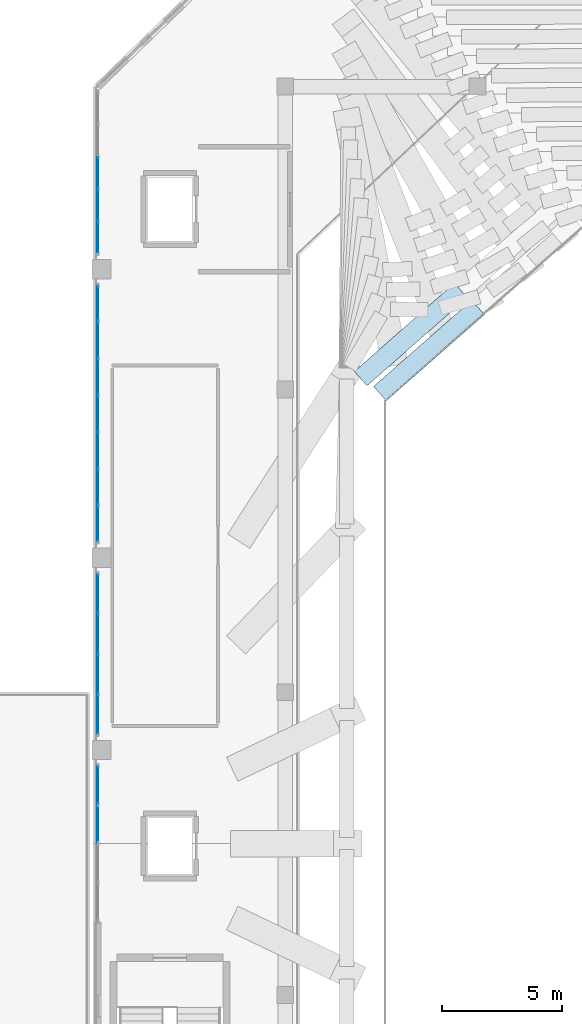
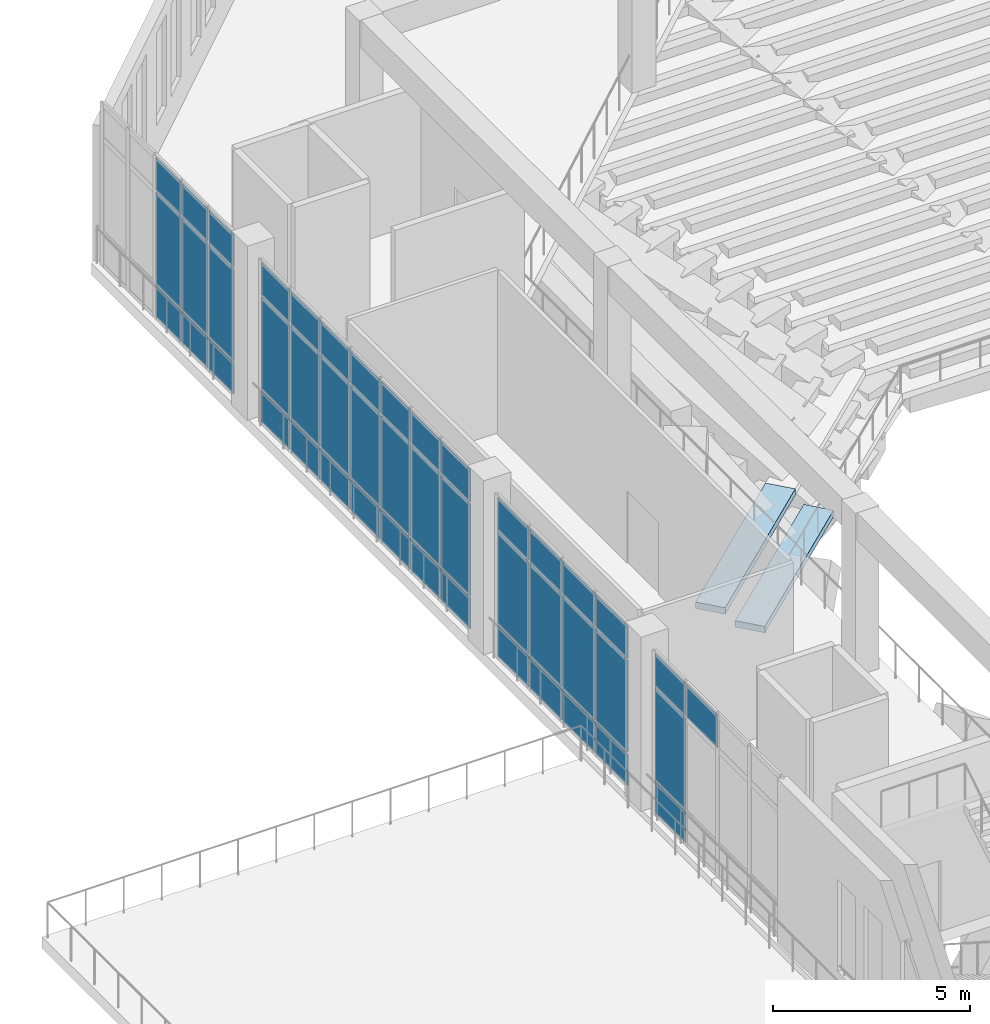
# One storey, part 36 of 55: 46 plates, 2 slabs, 4 elements without a shape of their own.
"""IFC4 building model written with IfcOpenShell, lengths in metres."""

import ifcopenshell
import ifcopenshell.guid

model = None  # the IFC model being written
_history = None  # IfcOwnerHistory: only IFC2X3 demands one
_inside = {}  # id of a spatial element -> (the spatial element, [elements in it])
_under = {}  # id of a project, library or spatial element -> (it, [spatial elements below it])
_declared = {}  # id of a project -> (the project, [libraries it declares])
_typed = {}  # id of a type object -> (the type object, [elements of that type])
_made_of = {}  # id of a material, layer set ... -> (it, [elements and type objects made of it])


def new_model(schema):
    """Start an empty IFC model of exactly this schema.

    Asked for "IFC4X3", IfcOpenShell would pick the latest addendum, in which some entities
    have other attributes; the version numbers below select the first issue.
    IFC2X3 requires an IfcOwnerHistory on every rooted entity: one is made here for all.
    """
    global model, _history
    if schema == "IFC4X3":
        model = ifcopenshell.file(schema_version=(4, 3, 0, 0))
    else:
        model = ifcopenshell.file(schema=schema)
    _inside.clear()
    _under.clear()
    _declared.clear()
    _typed.clear()
    _made_of.clear()
    _history = None
    if model.schema == "IFC2X3":
        org = make("IfcOrganization", Name="unknown")
        user = make(
            "IfcPersonAndOrganization",
            ThePerson=make("IfcPerson", FamilyName="unknown"),
            TheOrganization=org,
        )
        app = make(
            "IfcApplication",
            ApplicationDeveloper=org,
            Version="unknown",
            ApplicationFullName="unknown",
            ApplicationIdentifier="unknown",
        )
        _history = make(
            "IfcOwnerHistory",
            OwningUser=user,
            OwningApplication=app,
            ChangeAction="ADDED",
            CreationDate=0,
        )
    return model


def make(cls, **values):
    """One entity of the class cls with the attributes given. An attribute that is None is left unset."""
    return model.create_entity(
        cls, **{name: value for name, value in values.items() if value is not None}
    )


def rooted(cls, **values):
    """An entity with a GlobalId (a new one), such as an element, a storey or a relation."""
    return make(cls, GlobalId=ifcopenshell.guid.new(), OwnerHistory=_history, **values)


def si_unit(unit_type, name, prefix=None):
    """IfcSIUnit, for example si_unit("LENGTHUNIT", "METRE", prefix="MILLI")."""
    return make("IfcSIUnit", UnitType=unit_type, Prefix=prefix, Name=name)


def derived_unit(unit_type, elements):
    """IfcDerivedUnit: a product of units, each with its exponent."""
    return make(
        "IfcDerivedUnit",
        Elements=[
            make("IfcDerivedUnitElement", Unit=unit, Exponent=power)
            for unit, power in elements
        ],
        UnitType=unit_type,
    )


def assignment(units):
    """IfcUnitAssignment: the units of a project."""
    return None if units is None else make("IfcUnitAssignment", Units=units)


def point(xyz):
    """IfcCartesianPoint."""
    return None if xyz is None else make("IfcCartesianPoint", Coordinates=xyz)


def direction(xyz):
    """IfcDirection."""
    return None if xyz is None else make("IfcDirection", DirectionRatios=xyz)


def frame(location, z_axis=None, x_axis=None):
    """IfcAxis2Placement3D, a coordinate frame: its origin and axes. An axis left out is left unset."""
    return make(
        "IfcAxis2Placement3D",
        Location=point(location),
        Axis=direction(z_axis),
        RefDirection=direction(x_axis),
    )


def frame_2d(location, x_axis=None):
    """IfcAxis2Placement2D, a coordinate frame in the plane: its origin and x axis."""
    return make(
        "IfcAxis2Placement2D", Location=point(location), RefDirection=direction(x_axis)
    )


def origin():
    """The frame at (0, 0, 0) with its axes left unset."""
    return frame((0.0, 0.0, 0.0))


def origin_2d():
    """The frame at (0, 0) in the plane with its x axis left unset."""
    return frame_2d((0.0, 0.0))


def place(relative_to, where):
    """IfcLocalPlacement: puts the frame where relative to a parent placement (None: the world)."""
    return make(
        "IfcLocalPlacement", PlacementRelTo=relative_to, RelativePlacement=where
    )


def context(
    kind, dimensions, precision=None, world=None, true_north=None, identifier=None
):
    """IfcGeometricRepresentationContext, for example the 3D "Model" context."""
    return make(
        "IfcGeometricRepresentationContext",
        ContextIdentifier=identifier,
        ContextType=kind,
        CoordinateSpaceDimension=dimensions,
        Precision=precision,
        WorldCoordinateSystem=world,
        TrueNorth=true_north,
    )


def subcontext(parent, identifier, kind, view, scale=None):
    """IfcGeometricRepresentationSubContext, for example "Body" below "Model"."""
    return make(
        "IfcGeometricRepresentationSubContext",
        ContextIdentifier=identifier,
        ContextType=kind,
        ParentContext=parent,
        TargetScale=scale,
        TargetView=view,
    )


def project(units=None, contexts=None):
    """IfcProject with its units and contexts."""
    return rooted(
        "IfcProject",
        Name="project",
        RepresentationContexts=contexts,
        UnitsInContext=assignment(units),
    )


def spatial(cls, under=None, at=None, **own):
    """A site, building, storey or space (cls), placed at a placement, below another one or the project."""
    s = rooted(cls, ObjectPlacement=at, **own)
    if under is not None:
        _under.setdefault(under.id(), (under, []))[1].append(s)
    return s


def polyline(points):
    """IfcPolyline through the points."""
    return make("IfcPolyline", Points=[point(p) for p in points])


def profile(cls, at=None, kind="AREA", **sizes):
    """A parametric profile (cls). Its sizes go by their IFC names, for example OverallWidth=200.0."""
    return make(cls, ProfileType=kind, Position=at, **sizes)


def rectangle(**sizes):
    """IfcRectangleProfileDef."""
    return profile("IfcRectangleProfileDef", **sizes)


def outline(outer, holes=None, kind="AREA"):
    """IfcArbitraryClosedProfileDef: a profile drawn as a closed curve; with holes, ...WithVoids."""
    if holes is None:
        return make("IfcArbitraryClosedProfileDef", ProfileType=kind, OuterCurve=outer)
    return make(
        "IfcArbitraryProfileDefWithVoids",
        ProfileType=kind,
        OuterCurve=outer,
        InnerCurves=holes,
    )


def extrude(swept, where, along, depth):
    """IfcExtrudedAreaSolid: the profile swept, set in the frame where, extruded along a direction by depth."""
    return make(
        "IfcExtrudedAreaSolid",
        SweptArea=swept,
        Position=where,
        ExtrudedDirection=direction(along),
        Depth=depth,
    )


def shape(context_of_items, identifier, shape_type, items):
    """IfcShapeRepresentation: the items that make up one representation, for example the "Body"."""
    return make(
        "IfcShapeRepresentation",
        ContextOfItems=context_of_items,
        RepresentationIdentifier=identifier,
        RepresentationType=shape_type,
        Items=items,
    )


def material(Name=None, Category=None):
    """IfcMaterial."""
    return make("IfcMaterial", Name=Name, Category=Category)


def layer(
    of_material, thickness, ventilated=None, Name=None, Category=None, Priority=None
):
    """IfcMaterialLayer: one layer of a wall or slab, of a material (None: an air gap)."""
    return make(
        "IfcMaterialLayer",
        Material=of_material,
        LayerThickness=thickness,
        IsVentilated=ventilated,
        Name=Name,
        Category=Category,
        Priority=Priority,
    )


def layer_set(layers, Name=None):
    """IfcMaterialLayerSet."""
    return make("IfcMaterialLayerSet", MaterialLayers=layers, LayerSetName=Name)


def made_of(thing, what):
    """Note that an element or type object is made of a material, layer set ...; save() writes the relation."""
    if what is not None:
        _made_of.setdefault(what.id(), (what, []))[1].append(thing)
    return thing


def type_object(cls, material=None, **own):
    """A type object (cls), such as IfcWallType, which elements share."""
    return made_of(rooted(cls, **own), material)


def element(
    cls,
    number,
    at=None,
    inside=None,
    cuts=None,
    type_object=None,
    material=None,
    context=None,
    identifier="Body",
    shape_type=None,
    held_by="IfcProductDefinitionShape",
    body=None,
    shapes=None,
    **own,
):
    """One element of the class cls, such as IfcWall. Its Tag is "e" and its number.

    at: its placement. inside: the storey or other place that contains it. cuts: it is an
    opening in that element (IfcRelVoidsElement). A single representation is given by context,
    identifier, shape_type and body (its items); several are given by shapes. held_by: the class
    of the entity that holds the representations. save() writes the other relations.
    """
    e = rooted(cls, Tag="e%d" % number, ObjectPlacement=at, **own)
    if body is not None:
        shapes = [shape(context, identifier, shape_type, body)]
    if shapes is not None:
        e.Representation = make(held_by, Representations=shapes)
    if inside is not None:
        _inside.setdefault(inside.id(), (inside, []))[1].append(e)
    if cuts is not None:
        rooted(
            "IfcRelVoidsElement", RelatingBuildingElement=cuts, RelatedOpeningElement=e
        )
    if type_object is not None:
        _typed.setdefault(type_object.id(), (type_object, []))[1].append(e)
    return made_of(e, material)


def aggregate(whole, parts):
    """IfcRelAggregates: a whole, such as a stair, and the parts it consists of."""
    return rooted("IfcRelAggregates", RelatingObject=whole, RelatedObjects=parts)


def save(model, path):
    """Write the relations noted so far, then the file.

    IfcRelAggregates (storeys below a building ...), IfcRelContainedInSpatialStructure (elements
    in a storey), IfcRelDefinesByType, IfcRelAssociatesMaterial and IfcRelDeclares: one each for
    every whole, place, type object, material and project.
    """
    for whole, parts in _under.values():
        aggregate(whole, parts)
    for where, things in _inside.values():
        rooted(
            "IfcRelContainedInSpatialStructure",
            RelatedElements=things,
            RelatingStructure=where,
        )
    for kind, things in _typed.values():
        rooted("IfcRelDefinesByType", RelatedObjects=things, RelatingType=kind)
    for what, things in _made_of.values():
        rooted("IfcRelAssociatesMaterial", RelatedObjects=things, RelatingMaterial=what)
    for by, libraries in _declared.values():
        rooted("IfcRelDeclares", RelatingContext=by, RelatedDefinitions=libraries)
    model.write(path)


model = new_model("IFC4")

# Units and contexts
model_context = context("Model", 3, precision=1e-05, world=origin(), true_north=direction((0.0, 1.0)))
body_context = subcontext(model_context, "Body", "Model", "MODEL_VIEW")
ifc_project = project(units=[si_unit("LENGTHUNIT", "METRE"), si_unit("AREAUNIT", "SQUARE_METRE"), si_unit("VOLUMEUNIT", "CUBIC_METRE"), si_unit("PLANEANGLEUNIT", "RADIAN"), si_unit("MASSUNIT", "GRAM", prefix="KILO"), derived_unit("THERMALTRANSMITTANCEUNIT", [(si_unit("MASSUNIT", "GRAM", prefix="KILO"), 1), (si_unit("TIMEUNIT", "SECOND"), -3), (si_unit("THERMODYNAMICTEMPERATUREUNIT", "KELVIN"), -1)])], contexts=[model_context])

# Site, building, storey
site_placement = place(None, origin())
site = spatial("IfcSite", under=ifc_project, at=site_placement, CompositionType="ELEMENT")
building_placement = place(site_placement, origin())
building = spatial("IfcBuilding", under=site, at=building_placement, Name="Valcora Ridge Arena", CompositionType="ELEMENT")
storey_placement = place(building_placement, frame((0.0, 0.0, 21.0)))
storey = spatial("IfcBuildingStorey", under=building, at=storey_placement, Name="L04", CompositionType="ELEMENT", Elevation=21.0)

# Curtain wall, plates
ifc_material_1 = material(Name="Anodised dark bronze architectural aluminium 6063-T6", Category="aluminium")
ifc_layer_1 = layer(ifc_material_1, 0.179931640625, Name="Anodised dark bronze architectural aluminium 6063-T6")
ifc_layer_set_1 = layer_set([ifc_layer_1], Name="Anodised dark bronze architectural aluminium 6063-T6")
curtain_wall_type_1 = type_object("IfcCurtainWallType", Name="TY-CURTAINWALL-CW-V1-GOTH-068X51", PredefinedType="NOTDEFINED", material=ifc_layer_set_1)
curtain_wall_1_placement = place(storey_placement, origin())
curtain_wall_1 = element("IfcCurtainWall", 1, at=curtain_wall_1_placement, inside=storey, type_object=curtain_wall_type_1, Name="CW-V1-GOTH-068X51 CW-0152", PredefinedType="NOTDEFINED")
ifc_material_2 = material(Name="Low-iron solar-control double glazing SHGC 0.28", Category="glass")
ifc_layer_2 = layer(ifc_material_2, 0.031982421875, Name="Low-iron solar-control double glazing SHGC 0.28")
ifc_layer_set_2 = layer_set([ifc_layer_2], Name="Low-iron solar-control double glazing SHGC 0.28")
plate_type_1 = type_object("IfcPlateType", Name="TY-PLT-CWP-1262X0960", PredefinedType="CURTAIN_PANEL", material=ifc_layer_set_2)
plate_1_placement = place(storey_placement, frame((16.199951171875, 89.3310546875, 0.06005859375), z_axis=(0.0, 0.0, 1.0), x_axis=(0.0, 1.0, 0.0)))
plate_1 = element("IfcPlate", 2, at=plate_1_placement, type_object=plate_type_1, Name="CW-0152/P00-00", PredefinedType="CURTAIN_PANEL", context=body_context, shape_type="SweptSolid", body=[
    extrude(rectangle(XDim=1.261962890625, YDim=0.031982421875, at=origin_2d()), origin(), (0.0, 0.0, 1.0), 0.9599609375),
])
ifc_layer_3 = layer(ifc_material_2, 0.031982421875, Name="Low-iron solar-control double glazing SHGC 0.28")
ifc_layer_set_3 = layer_set([ifc_layer_3], Name="Low-iron solar-control double glazing SHGC 0.28")
plate_type_2 = type_object("IfcPlateType", Name="TY-PLT-CWP-1262X1010", PredefinedType="CURTAIN_PANEL", material=ifc_layer_set_3)
plate_2_placement = place(storey_placement, frame((16.199951171875, 89.3310546875, 3.990234375), z_axis=(0.0, 0.0, 1.0), x_axis=(0.0, 1.0, 0.0)))
plate_2 = element("IfcPlate", 3, at=plate_2_placement, type_object=plate_type_2, Name="CW-0152/P00-02", PredefinedType="CURTAIN_PANEL", context=body_context, shape_type="SweptSolid", body=[
    extrude(rectangle(XDim=1.261962890625, YDim=0.031982421875, at=origin_2d()), origin(), (0.0, 0.0, 1.0), 1.010009765625),
])
ifc_layer_4 = layer(ifc_material_2, 0.031982421875, Name="Low-iron solar-control double glazing SHGC 0.28")
ifc_layer_set_4 = layer_set([ifc_layer_4], Name="Low-iron solar-control double glazing SHGC 0.28")
plate_type_3 = type_object("IfcPlateType", Name="TY-PLT-CWP-1262X2850", PredefinedType="CURTAIN_PANEL", material=ifc_layer_set_4)
plate_3_placement = place(storey_placement, frame((16.199951171875, 89.3310546875, 1.079833984375), z_axis=(0.0, 0.0, 1.0), x_axis=(0.0, 1.0, 0.0)))
plate_3 = element("IfcPlate", 4, at=plate_3_placement, type_object=plate_type_3, Name="CW-0152/P00-01", PredefinedType="CURTAIN_PANEL", context=body_context, shape_type="SweptSolid", body=[
    extrude(rectangle(XDim=1.261962890625, YDim=0.031982421875, at=origin_2d()), origin(), (0.0, 0.0, 1.0), 2.85009765625),
])
ifc_layer_5 = layer(ifc_material_2, 0.031982421875, Name="Low-iron solar-control double glazing SHGC 0.28")
ifc_layer_set_5 = layer_set([ifc_layer_5], Name="Low-iron solar-control double glazing SHGC 0.28")
plate_type_4 = type_object("IfcPlateType", Name="TY-PLT-CWP-1292X0960", PredefinedType="CURTAIN_PANEL", material=ifc_layer_set_5)
plate_4_placement = place(storey_placement, frame((16.199951171875, 90.66796875, 0.06005859375), z_axis=(0.0, 0.0, 1.0), x_axis=(0.0, 1.0, 0.0)))
plate_4 = element("IfcPlate", 5, at=plate_4_placement, type_object=plate_type_4, Name="CW-0152/P01-00", PredefinedType="CURTAIN_PANEL", context=body_context, shape_type="SweptSolid", body=[
    extrude(rectangle(XDim=1.2919921875, YDim=0.031982421875, at=origin_2d()), origin(), (0.0, 0.0, 1.0), 0.9599609375),
])
plate_5_placement = place(storey_placement, frame((16.199951171875, 92.02001953125, 0.06005859375), z_axis=(0.0, 0.0, 1.0), x_axis=(0.0, 1.0, 0.0)))
plate_5 = element("IfcPlate", 6, at=plate_5_placement, type_object=plate_type_4, Name="CW-0152/P02-00", PredefinedType="CURTAIN_PANEL", context=body_context, shape_type="SweptSolid", body=[
    extrude(rectangle(XDim=1.2919921875, YDim=0.031982421875, at=origin_2d()), origin(), (0.0, 0.0, 1.0), 0.9599609375),
])
ifc_layer_6 = layer(ifc_material_2, 0.031982421875, Name="Low-iron solar-control double glazing SHGC 0.28")
ifc_layer_set_6 = layer_set([ifc_layer_6], Name="Low-iron solar-control double glazing SHGC 0.28")
plate_type_5 = type_object("IfcPlateType", Name="TY-PLT-CWP-1292X1010", PredefinedType="CURTAIN_PANEL", material=ifc_layer_set_6)
plate_6_placement = place(storey_placement, frame((16.199951171875, 90.66796875, 3.990234375), z_axis=(0.0, 0.0, 1.0), x_axis=(0.0, 1.0, 0.0)))
plate_6 = element("IfcPlate", 7, at=plate_6_placement, type_object=plate_type_5, Name="CW-0152/P01-02", PredefinedType="CURTAIN_PANEL", context=body_context, shape_type="SweptSolid", body=[
    extrude(rectangle(XDim=1.2919921875, YDim=0.031982421875, at=origin_2d()), origin(), (0.0, 0.0, 1.0), 1.010009765625),
])
plate_7_placement = place(storey_placement, frame((16.199951171875, 92.02001953125, 3.990234375), z_axis=(0.0, 0.0, 1.0), x_axis=(0.0, 1.0, 0.0)))
plate_7 = element("IfcPlate", 8, at=plate_7_placement, type_object=plate_type_5, Name="CW-0152/P02-02", PredefinedType="CURTAIN_PANEL", context=body_context, shape_type="SweptSolid", body=[
    extrude(rectangle(XDim=1.2919921875, YDim=0.031982421875, at=origin_2d()), origin(), (0.0, 0.0, 1.0), 1.010009765625),
])
ifc_layer_7 = layer(ifc_material_2, 0.031982421875, Name="Low-iron solar-control double glazing SHGC 0.28")
ifc_layer_set_7 = layer_set([ifc_layer_7], Name="Low-iron solar-control double glazing SHGC 0.28")
plate_type_6 = type_object("IfcPlateType", Name="TY-PLT-CWP-1292X2850", PredefinedType="CURTAIN_PANEL", material=ifc_layer_set_7)
plate_8_placement = place(storey_placement, frame((16.199951171875, 90.66796875, 1.079833984375), z_axis=(0.0, 0.0, 1.0), x_axis=(0.0, 1.0, 0.0)))
plate_8 = element("IfcPlate", 9, at=plate_8_placement, type_object=plate_type_6, Name="CW-0152/P01-01", PredefinedType="CURTAIN_PANEL", context=body_context, shape_type="SweptSolid", body=[
    extrude(rectangle(XDim=1.2919921875, YDim=0.031982421875, at=origin_2d()), origin(), (0.0, 0.0, 1.0), 2.85009765625),
])
plate_9_placement = place(storey_placement, frame((16.199951171875, 92.02001953125, 1.079833984375), z_axis=(0.0, 0.0, 1.0), x_axis=(0.0, 1.0, 0.0)))
plate_9 = element("IfcPlate", 10, at=plate_9_placement, type_object=plate_type_6, Name="CW-0152/P02-01", PredefinedType="CURTAIN_PANEL", context=body_context, shape_type="SweptSolid", body=[
    extrude(rectangle(XDim=1.2919921875, YDim=0.031982421875, at=origin_2d()), origin(), (0.0, 0.0, 1.0), 2.85009765625),
])
aggregate(curtain_wall_1, [plate_1, plate_3, plate_2, plate_4, plate_8, plate_6, plate_5, plate_9, plate_7])

ifc_layer_8 = layer(ifc_material_1, 0.179931640625, Name="Anodised dark bronze architectural aluminium 6063-T6")
ifc_layer_set_8 = layer_set([ifc_layer_8], Name="Anodised dark bronze architectural aluminium 6063-T6")
curtain_wall_type_2 = type_object("IfcCurtainWallType", Name="TY-CURTAINWALL-CW-V1-GOTH-107X51", PredefinedType="NOTDEFINED", material=ifc_layer_set_8)
curtain_wall_2_placement = place(storey_placement, origin())
curtain_wall_2 = element("IfcCurtainWall", 11, at=curtain_wall_2_placement, inside=storey, type_object=curtain_wall_type_2, Name="CW-V1-GOTH-107X51 CW-0151", PredefinedType="NOTDEFINED")
ifc_layer_9 = layer(ifc_material_2, 0.031982421875, Name="Low-iron solar-control double glazing SHGC 0.28")
ifc_layer_set_9 = layer_set([ifc_layer_9], Name="Low-iron solar-control double glazing SHGC 0.28")
plate_type_7 = type_object("IfcPlateType", Name="TY-PLT-CWP-1441X0960", PredefinedType="CURTAIN_PANEL", material=ifc_layer_set_9)
plate_10_placement = place(storey_placement, frame((16.199951171875, 77.42041015625, 0.06005859375), z_axis=(0.0, 0.0, 1.0), x_axis=(0.0, 1.0, 0.0)))
plate_10 = element("IfcPlate", 12, at=plate_10_placement, type_object=plate_type_7, Name="CW-0151/P00-00", PredefinedType="CURTAIN_PANEL", context=body_context, shape_type="SweptSolid", body=[
    extrude(rectangle(XDim=1.44091796875, YDim=0.031982421875, at=origin_2d()), origin(), (0.0, 0.0, 1.0), 0.9599609375),
])
plate_11_placement = place(storey_placement, frame((16.199951171875, 86.57958984375, 0.06005859375), z_axis=(0.0, 0.0, 1.0), x_axis=(0.0, 1.0, 0.0)))
plate_11 = element("IfcPlate", 13, at=plate_11_placement, type_object=plate_type_7, Name="CW-0151/P06-00", PredefinedType="CURTAIN_PANEL", context=body_context, shape_type="SweptSolid", body=[
    extrude(rectangle(XDim=1.44091796875, YDim=0.031982421875, at=origin_2d()), origin(), (0.0, 0.0, 1.0), 0.9599609375),
])
ifc_layer_10 = layer(ifc_material_2, 0.031982421875, Name="Low-iron solar-control double glazing SHGC 0.28")
ifc_layer_set_10 = layer_set([ifc_layer_10], Name="Low-iron solar-control double glazing SHGC 0.28")
plate_type_8 = type_object("IfcPlateType", Name="TY-PLT-CWP-1441X1010", PredefinedType="CURTAIN_PANEL", material=ifc_layer_set_10)
plate_12_placement = place(storey_placement, frame((16.199951171875, 77.42041015625, 3.990234375), z_axis=(0.0, 0.0, 1.0), x_axis=(0.0, 1.0, 0.0)))
plate_12 = element("IfcPlate", 14, at=plate_12_placement, type_object=plate_type_8, Name="CW-0151/P00-02", PredefinedType="CURTAIN_PANEL", context=body_context, shape_type="SweptSolid", body=[
    extrude(rectangle(XDim=1.44091796875, YDim=0.031982421875, at=origin_2d()), origin(), (0.0, 0.0, 1.0), 1.010009765625),
])
plate_13_placement = place(storey_placement, frame((16.199951171875, 86.57958984375, 3.990234375), z_axis=(0.0, 0.0, 1.0), x_axis=(0.0, 1.0, 0.0)))
plate_13 = element("IfcPlate", 15, at=plate_13_placement, type_object=plate_type_8, Name="CW-0151/P06-02", PredefinedType="CURTAIN_PANEL", context=body_context, shape_type="SweptSolid", body=[
    extrude(rectangle(XDim=1.44091796875, YDim=0.031982421875, at=origin_2d()), origin(), (0.0, 0.0, 1.0), 1.010009765625),
])
ifc_layer_11 = layer(ifc_material_2, 0.031982421875, Name="Low-iron solar-control double glazing SHGC 0.28")
ifc_layer_set_11 = layer_set([ifc_layer_11], Name="Low-iron solar-control double glazing SHGC 0.28")
plate_type_9 = type_object("IfcPlateType", Name="TY-PLT-CWP-1441X2850", PredefinedType="CURTAIN_PANEL", material=ifc_layer_set_11)
plate_14_placement = place(storey_placement, frame((16.199951171875, 77.42041015625, 1.079833984375), z_axis=(0.0, 0.0, 1.0), x_axis=(0.0, 1.0, 0.0)))
plate_14 = element("IfcPlate", 16, at=plate_14_placement, type_object=plate_type_9, Name="CW-0151/P00-01", PredefinedType="CURTAIN_PANEL", context=body_context, shape_type="SweptSolid", body=[
    extrude(rectangle(XDim=1.44091796875, YDim=0.031982421875, at=origin_2d()), origin(), (0.0, 0.0, 1.0), 2.85009765625),
])
plate_15_placement = place(storey_placement, frame((16.199951171875, 86.57958984375, 1.079833984375), z_axis=(0.0, 0.0, 1.0), x_axis=(0.0, 1.0, 0.0)))
plate_15 = element("IfcPlate", 17, at=plate_15_placement, type_object=plate_type_9, Name="CW-0151/P06-01", PredefinedType="CURTAIN_PANEL", context=body_context, shape_type="SweptSolid", body=[
    extrude(rectangle(XDim=1.44091796875, YDim=0.031982421875, at=origin_2d()), origin(), (0.0, 0.0, 1.0), 2.85009765625),
])
ifc_layer_12 = layer(ifc_material_2, 0.031982421875, Name="Low-iron solar-control double glazing SHGC 0.28")
ifc_layer_set_12 = layer_set([ifc_layer_12], Name="Low-iron solar-control double glazing SHGC 0.28")
plate_type_10 = type_object("IfcPlateType", Name="TY-PLT-CWP-1471X0960", PredefinedType="CURTAIN_PANEL", material=ifc_layer_set_12)
plate_16_placement = place(storey_placement, frame((16.199951171875, 80.468505859375, 0.06005859375), z_axis=(0.0, 0.0, 1.0), x_axis=(0.0, 1.0, 0.0)))
plate_16 = element("IfcPlate", 18, at=plate_16_placement, type_object=plate_type_10, Name="CW-0151/P02-00", PredefinedType="CURTAIN_PANEL", context=body_context, shape_type="SweptSolid", body=[
    extrude(rectangle(XDim=1.470947265625, YDim=0.031982421875, at=origin_2d()), origin(), (0.0, 0.0, 1.0), 0.9599609375),
])
plate_17_placement = place(storey_placement, frame((16.199951171875, 83.531494140625, 0.06005859375), z_axis=(0.0, 0.0, 1.0), x_axis=(0.0, 1.0, 0.0)))
plate_17 = element("IfcPlate", 19, at=plate_17_placement, type_object=plate_type_10, Name="CW-0151/P04-00", PredefinedType="CURTAIN_PANEL", context=body_context, shape_type="SweptSolid", body=[
    extrude(rectangle(XDim=1.470947265625, YDim=0.031982421875, at=origin_2d()), origin(), (0.0, 0.0, 1.0), 0.9599609375),
])
ifc_layer_13 = layer(ifc_material_2, 0.031982421875, Name="Low-iron solar-control double glazing SHGC 0.28")
ifc_layer_set_13 = layer_set([ifc_layer_13], Name="Low-iron solar-control double glazing SHGC 0.28")
plate_type_11 = type_object("IfcPlateType", Name="TY-PLT-CWP-1471X1010", PredefinedType="CURTAIN_PANEL", material=ifc_layer_set_13)
plate_18_placement = place(storey_placement, frame((16.199951171875, 80.468505859375, 3.990234375), z_axis=(0.0, 0.0, 1.0), x_axis=(0.0, 1.0, 0.0)))
plate_18 = element("IfcPlate", 20, at=plate_18_placement, type_object=plate_type_11, Name="CW-0151/P02-02", PredefinedType="CURTAIN_PANEL", context=body_context, shape_type="SweptSolid", body=[
    extrude(rectangle(XDim=1.470947265625, YDim=0.031982421875, at=origin_2d()), origin(), (0.0, 0.0, 1.0), 1.010009765625),
])
plate_19_placement = place(storey_placement, frame((16.199951171875, 83.531494140625, 3.990234375), z_axis=(0.0, 0.0, 1.0), x_axis=(0.0, 1.0, 0.0)))
plate_19 = element("IfcPlate", 21, at=plate_19_placement, type_object=plate_type_11, Name="CW-0151/P04-02", PredefinedType="CURTAIN_PANEL", context=body_context, shape_type="SweptSolid", body=[
    extrude(rectangle(XDim=1.470947265625, YDim=0.031982421875, at=origin_2d()), origin(), (0.0, 0.0, 1.0), 1.010009765625),
])
ifc_layer_14 = layer(ifc_material_2, 0.031982421875, Name="Low-iron solar-control double glazing SHGC 0.28")
ifc_layer_set_14 = layer_set([ifc_layer_14], Name="Low-iron solar-control double glazing SHGC 0.28")
plate_type_12 = type_object("IfcPlateType", Name="TY-PLT-CWP-1471X2850", PredefinedType="CURTAIN_PANEL", material=ifc_layer_set_14)
plate_20_placement = place(storey_placement, frame((16.199951171875, 80.468505859375, 1.079833984375), z_axis=(0.0, 0.0, 1.0), x_axis=(0.0, 1.0, 0.0)))
plate_20 = element("IfcPlate", 22, at=plate_20_placement, type_object=plate_type_12, Name="CW-0151/P02-01", PredefinedType="CURTAIN_PANEL", context=body_context, shape_type="SweptSolid", body=[
    extrude(rectangle(XDim=1.470947265625, YDim=0.031982421875, at=origin_2d()), origin(), (0.0, 0.0, 1.0), 2.85009765625),
])
plate_21_placement = place(storey_placement, frame((16.199951171875, 83.531494140625, 1.079833984375), z_axis=(0.0, 0.0, 1.0), x_axis=(0.0, 1.0, 0.0)))
plate_21 = element("IfcPlate", 23, at=plate_21_placement, type_object=plate_type_12, Name="CW-0151/P04-01", PredefinedType="CURTAIN_PANEL", context=body_context, shape_type="SweptSolid", body=[
    extrude(rectangle(XDim=1.470947265625, YDim=0.031982421875, at=origin_2d()), origin(), (0.0, 0.0, 1.0), 2.85009765625),
])
ifc_layer_15 = layer(ifc_material_2, 0.031982421875, Name="Low-iron solar-control double glazing SHGC 0.28")
ifc_layer_set_15 = layer_set([ifc_layer_15], Name="Low-iron solar-control double glazing SHGC 0.28")
plate_type_13 = type_object("IfcPlateType", Name="TY-PLT-CWP-1472X0960", PredefinedType="CURTAIN_PANEL", material=ifc_layer_set_15)
plate_22_placement = place(storey_placement, frame((16.199951171875, 78.93701171875, 0.06005859375), z_axis=(0.0, 0.0, 1.0), x_axis=(0.0, 1.0, 0.0)))
plate_22 = element("IfcPlate", 24, at=plate_22_placement, type_object=plate_type_13, Name="CW-0151/P01-00", PredefinedType="CURTAIN_PANEL", context=body_context, shape_type="SweptSolid", body=[
    extrude(rectangle(XDim=1.471923828125, YDim=0.031982421875, at=origin_2d()), origin(), (0.0, 0.0, 1.0), 0.9599609375),
])
plate_23_placement = place(storey_placement, frame((16.199951171875, 82.0, 0.06005859375), z_axis=(0.0, 0.0, 1.0), x_axis=(0.0, 1.0, 0.0)))
plate_23 = element("IfcPlate", 25, at=plate_23_placement, type_object=plate_type_13, Name="CW-0151/P03-00", PredefinedType="CURTAIN_PANEL", context=body_context, shape_type="SweptSolid", body=[
    extrude(rectangle(XDim=1.471923828125, YDim=0.031982421875, at=origin_2d()), origin(), (0.0, 0.0, 1.0), 0.9599609375),
])
plate_24_placement = place(storey_placement, frame((16.199951171875, 85.06298828125, 0.06005859375), z_axis=(0.0, 0.0, 1.0), x_axis=(0.0, 1.0, 0.0)))
plate_24 = element("IfcPlate", 26, at=plate_24_placement, type_object=plate_type_13, Name="CW-0151/P05-00", PredefinedType="CURTAIN_PANEL", context=body_context, shape_type="SweptSolid", body=[
    extrude(rectangle(XDim=1.471923828125, YDim=0.031982421875, at=origin_2d()), origin(), (0.0, 0.0, 1.0), 0.9599609375),
])
ifc_layer_16 = layer(ifc_material_2, 0.031982421875, Name="Low-iron solar-control double glazing SHGC 0.28")
ifc_layer_set_16 = layer_set([ifc_layer_16], Name="Low-iron solar-control double glazing SHGC 0.28")
plate_type_14 = type_object("IfcPlateType", Name="TY-PLT-CWP-1472X1010", PredefinedType="CURTAIN_PANEL", material=ifc_layer_set_16)
plate_25_placement = place(storey_placement, frame((16.199951171875, 78.93701171875, 3.990234375), z_axis=(0.0, 0.0, 1.0), x_axis=(0.0, 1.0, 0.0)))
plate_25 = element("IfcPlate", 27, at=plate_25_placement, type_object=plate_type_14, Name="CW-0151/P01-02", PredefinedType="CURTAIN_PANEL", context=body_context, shape_type="SweptSolid", body=[
    extrude(rectangle(XDim=1.471923828125, YDim=0.031982421875, at=origin_2d()), origin(), (0.0, 0.0, 1.0), 1.010009765625),
])
plate_26_placement = place(storey_placement, frame((16.199951171875, 82.0, 3.990234375), z_axis=(0.0, 0.0, 1.0), x_axis=(0.0, 1.0, 0.0)))
plate_26 = element("IfcPlate", 28, at=plate_26_placement, type_object=plate_type_14, Name="CW-0151/P03-02", PredefinedType="CURTAIN_PANEL", context=body_context, shape_type="SweptSolid", body=[
    extrude(rectangle(XDim=1.471923828125, YDim=0.031982421875, at=origin_2d()), origin(), (0.0, 0.0, 1.0), 1.010009765625),
])
plate_27_placement = place(storey_placement, frame((16.199951171875, 85.06298828125, 3.990234375), z_axis=(0.0, 0.0, 1.0), x_axis=(0.0, 1.0, 0.0)))
plate_27 = element("IfcPlate", 29, at=plate_27_placement, type_object=plate_type_14, Name="CW-0151/P05-02", PredefinedType="CURTAIN_PANEL", context=body_context, shape_type="SweptSolid", body=[
    extrude(rectangle(XDim=1.471923828125, YDim=0.031982421875, at=origin_2d()), origin(), (0.0, 0.0, 1.0), 1.010009765625),
])
ifc_layer_17 = layer(ifc_material_2, 0.031982421875, Name="Low-iron solar-control double glazing SHGC 0.28")
ifc_layer_set_17 = layer_set([ifc_layer_17], Name="Low-iron solar-control double glazing SHGC 0.28")
plate_type_15 = type_object("IfcPlateType", Name="TY-PLT-CWP-1472X2850", PredefinedType="CURTAIN_PANEL", material=ifc_layer_set_17)
plate_28_placement = place(storey_placement, frame((16.199951171875, 78.93701171875, 1.079833984375), z_axis=(0.0, 0.0, 1.0), x_axis=(0.0, 1.0, 0.0)))
plate_28 = element("IfcPlate", 30, at=plate_28_placement, type_object=plate_type_15, Name="CW-0151/P01-01", PredefinedType="CURTAIN_PANEL", context=body_context, shape_type="SweptSolid", body=[
    extrude(rectangle(XDim=1.471923828125, YDim=0.031982421875, at=origin_2d()), origin(), (0.0, 0.0, 1.0), 2.85009765625),
])
plate_29_placement = place(storey_placement, frame((16.199951171875, 82.0, 1.079833984375), z_axis=(0.0, 0.0, 1.0), x_axis=(0.0, 1.0, 0.0)))
plate_29 = element("IfcPlate", 31, at=plate_29_placement, type_object=plate_type_15, Name="CW-0151/P03-01", PredefinedType="CURTAIN_PANEL", context=body_context, shape_type="SweptSolid", body=[
    extrude(rectangle(XDim=1.471923828125, YDim=0.031982421875, at=origin_2d()), origin(), (0.0, 0.0, 1.0), 2.85009765625),
])
plate_30_placement = place(storey_placement, frame((16.199951171875, 85.06298828125, 1.079833984375), z_axis=(0.0, 0.0, 1.0), x_axis=(0.0, 1.0, 0.0)))
plate_30 = element("IfcPlate", 32, at=plate_30_placement, type_object=plate_type_15, Name="CW-0151/P05-01", PredefinedType="CURTAIN_PANEL", context=body_context, shape_type="SweptSolid", body=[
    extrude(rectangle(XDim=1.471923828125, YDim=0.031982421875, at=origin_2d()), origin(), (0.0, 0.0, 1.0), 2.85009765625),
])
aggregate(curtain_wall_2, [plate_10, plate_14, plate_12, plate_22, plate_28, plate_25, plate_16, plate_20, plate_18, plate_23, plate_29, plate_26, plate_17, plate_21, plate_19, plate_24, plate_30, plate_27, plate_11, plate_15, plate_13])

ifc_layer_18 = layer(ifc_material_1, 0.179931640625, Name="Anodised dark bronze architectural aluminium 6063-T6")
ifc_layer_set_18 = layer_set([ifc_layer_18], Name="Anodised dark bronze architectural aluminium 6063-T6")
curtain_wall_type_3 = type_object("IfcCurtainWallType", Name="TY-CURTAINWALL-CW-V1-GOTH-065X51", PredefinedType="NOTDEFINED", material=ifc_layer_set_18)
curtain_wall_3_placement = place(storey_placement, origin())
curtain_wall_3 = element("IfcCurtainWall", 33, at=curtain_wall_3_placement, inside=storey, type_object=curtain_wall_type_3, Name="CW-V1-GOTH-065X51 CW-0149", PredefinedType="NOTDEFINED")
ifc_layer_19 = layer(ifc_material_2, 0.031982421875, Name="Low-iron solar-control double glazing SHGC 0.28")
ifc_layer_set_19 = layer_set([ifc_layer_19], Name="Low-iron solar-control double glazing SHGC 0.28")
plate_type_16 = type_object("IfcPlateType", Name="TY-PLT-CWP-1537X0960", PredefinedType="CURTAIN_PANEL", material=ifc_layer_set_19)
plate_31_placement = place(storey_placement, frame((16.199951171875, 66.531494140625, 0.06005859375), z_axis=(0.0, 0.0, 1.0), x_axis=(0.0, 1.0, 0.0)))
plate_31 = element("IfcPlate", 34, at=plate_31_placement, type_object=plate_type_16, Name="CW-0149/P03-00", PredefinedType="CURTAIN_PANEL", context=body_context, shape_type="SweptSolid", body=[
    extrude(rectangle(XDim=1.537109375, YDim=0.031982421875, at=origin_2d()), origin(), (0.0, 0.0, 1.0), 0.9599609375),
])
ifc_layer_20 = layer(ifc_material_2, 0.031982421875, Name="Low-iron solar-control double glazing SHGC 0.28")
ifc_layer_set_20 = layer_set([ifc_layer_20], Name="Low-iron solar-control double glazing SHGC 0.28")
plate_type_17 = type_object("IfcPlateType", Name="TY-PLT-CWP-1537X1010", PredefinedType="CURTAIN_PANEL", material=ifc_layer_set_20)
plate_32_placement = place(storey_placement, frame((16.199951171875, 66.531494140625, 3.990234375), z_axis=(0.0, 0.0, 1.0), x_axis=(0.0, 1.0, 0.0)))
plate_32 = element("IfcPlate", 35, at=plate_32_placement, type_object=plate_type_17, Name="CW-0149/P03-02", PredefinedType="CURTAIN_PANEL", context=body_context, shape_type="SweptSolid", body=[
    extrude(rectangle(XDim=1.537109375, YDim=0.031982421875, at=origin_2d()), origin(), (0.0, 0.0, 1.0), 1.010009765625),
])
ifc_layer_21 = layer(ifc_material_2, 0.031982421875, Name="Low-iron solar-control double glazing SHGC 0.28")
ifc_layer_set_21 = layer_set([ifc_layer_21], Name="Low-iron solar-control double glazing SHGC 0.28")
plate_type_18 = type_object("IfcPlateType", Name="TY-PLT-CWP-1537X2850", PredefinedType="CURTAIN_PANEL", material=ifc_layer_set_21)
plate_33_placement = place(storey_placement, frame((16.199951171875, 66.531494140625, 1.079833984375), z_axis=(0.0, 0.0, 1.0), x_axis=(0.0, 1.0, 0.0)))
plate_33 = element("IfcPlate", 36, at=plate_33_placement, type_object=plate_type_18, Name="CW-0149/P03-01", PredefinedType="CURTAIN_PANEL", context=body_context, shape_type="SweptSolid", body=[
    extrude(rectangle(XDim=1.537109375, YDim=0.031982421875, at=origin_2d()), origin(), (0.0, 0.0, 1.0), 2.85009765625),
])
ifc_layer_22 = layer(ifc_material_2, 0.031982421875, Name="Low-iron solar-control double glazing SHGC 0.28")
ifc_layer_set_22 = layer_set([ifc_layer_22], Name="Low-iron solar-control double glazing SHGC 0.28")
plate_type_19 = type_object("IfcPlateType", Name="TY-PLT-CWP-1568X1010", PredefinedType="CURTAIN_PANEL", material=ifc_layer_set_22)
plate_34_placement = place(storey_placement, frame((16.199951171875, 64.9189453125, 3.990234375), z_axis=(0.0, 0.0, 1.0), x_axis=(0.0, 1.0, 0.0)))
plate_34 = element("IfcPlate", 37, at=plate_34_placement, type_object=plate_type_19, Name="CW-0149/P02-02", PredefinedType="CURTAIN_PANEL", context=body_context, shape_type="SweptSolid", body=[
    extrude(rectangle(XDim=1.568115234375, YDim=0.031982421875, at=origin_2d()), origin(), (0.0, 0.0, 1.0), 1.010009765625),
])
aggregate(curtain_wall_3, [plate_34, plate_31, plate_33, plate_32])

ifc_layer_23 = layer(ifc_material_1, 0.179931640625, Name="Anodised dark bronze architectural aluminium 6063-T6")
ifc_layer_set_23 = layer_set([ifc_layer_23], Name="Anodised dark bronze architectural aluminium 6063-T6")
curtain_wall_type_4 = type_object("IfcCurtainWallType", Name="TY-CURTAINWALL-CW-V1-GOTH-067X51", PredefinedType="NOTDEFINED", material=ifc_layer_set_23)
curtain_wall_4_placement = place(storey_placement, origin())
curtain_wall_4 = element("IfcCurtainWall", 38, at=curtain_wall_4_placement, inside=storey, type_object=curtain_wall_type_4, Name="CW-V1-GOTH-067X51 CW-0150", PredefinedType="NOTDEFINED")
ifc_layer_24 = layer(ifc_material_2, 0.031982421875, Name="Low-iron solar-control double glazing SHGC 0.28")
ifc_layer_set_24 = layer_set([ifc_layer_24], Name="Low-iron solar-control double glazing SHGC 0.28")
plate_type_20 = type_object("IfcPlateType", Name="TY-PLT-CWP-1590X0960", PredefinedType="CURTAIN_PANEL", material=ifc_layer_set_24)
plate_35_placement = place(storey_placement, frame((16.199951171875, 69.4951171875, 0.06005859375), z_axis=(0.0, 0.0, 1.0), x_axis=(0.0, 1.0, 0.0)))
plate_35 = element("IfcPlate", 39, at=plate_35_placement, type_object=plate_type_20, Name="CW-0150/P00-00", PredefinedType="CURTAIN_PANEL", context=body_context, shape_type="SweptSolid", body=[
    extrude(rectangle(XDim=1.590087890625, YDim=0.031982421875, at=origin_2d()), origin(), (0.0, 0.0, 1.0), 0.9599609375),
])
plate_36_placement = place(storey_placement, frame((16.199951171875, 74.5048828125, 0.06005859375), z_axis=(0.0, 0.0, 1.0), x_axis=(0.0, 1.0, 0.0)))
plate_36 = element("IfcPlate", 40, at=plate_36_placement, type_object=plate_type_20, Name="CW-0150/P03-00", PredefinedType="CURTAIN_PANEL", context=body_context, shape_type="SweptSolid", body=[
    extrude(rectangle(XDim=1.590087890625, YDim=0.031982421875, at=origin_2d()), origin(), (0.0, 0.0, 1.0), 0.9599609375),
])
ifc_layer_25 = layer(ifc_material_2, 0.031982421875, Name="Low-iron solar-control double glazing SHGC 0.28")
ifc_layer_set_25 = layer_set([ifc_layer_25], Name="Low-iron solar-control double glazing SHGC 0.28")
plate_type_21 = type_object("IfcPlateType", Name="TY-PLT-CWP-1590X1010", PredefinedType="CURTAIN_PANEL", material=ifc_layer_set_25)
plate_37_placement = place(storey_placement, frame((16.199951171875, 69.4951171875, 3.990234375), z_axis=(0.0, 0.0, 1.0), x_axis=(0.0, 1.0, 0.0)))
plate_37 = element("IfcPlate", 41, at=plate_37_placement, type_object=plate_type_21, Name="CW-0150/P00-02", PredefinedType="CURTAIN_PANEL", context=body_context, shape_type="SweptSolid", body=[
    extrude(rectangle(XDim=1.590087890625, YDim=0.031982421875, at=origin_2d()), origin(), (0.0, 0.0, 1.0), 1.010009765625),
])
plate_38_placement = place(storey_placement, frame((16.199951171875, 74.5048828125, 3.990234375), z_axis=(0.0, 0.0, 1.0), x_axis=(0.0, 1.0, 0.0)))
plate_38 = element("IfcPlate", 42, at=plate_38_placement, type_object=plate_type_21, Name="CW-0150/P03-02", PredefinedType="CURTAIN_PANEL", context=body_context, shape_type="SweptSolid", body=[
    extrude(rectangle(XDim=1.590087890625, YDim=0.031982421875, at=origin_2d()), origin(), (0.0, 0.0, 1.0), 1.010009765625),
])
ifc_layer_26 = layer(ifc_material_2, 0.031982421875, Name="Low-iron solar-control double glazing SHGC 0.28")
ifc_layer_set_26 = layer_set([ifc_layer_26], Name="Low-iron solar-control double glazing SHGC 0.28")
plate_type_22 = type_object("IfcPlateType", Name="TY-PLT-CWP-1590X2850", PredefinedType="CURTAIN_PANEL", material=ifc_layer_set_26)
plate_39_placement = place(storey_placement, frame((16.199951171875, 69.4951171875, 1.079833984375), z_axis=(0.0, 0.0, 1.0), x_axis=(0.0, 1.0, 0.0)))
plate_39 = element("IfcPlate", 43, at=plate_39_placement, type_object=plate_type_22, Name="CW-0150/P00-01", PredefinedType="CURTAIN_PANEL", context=body_context, shape_type="SweptSolid", body=[
    extrude(rectangle(XDim=1.590087890625, YDim=0.031982421875, at=origin_2d()), origin(), (0.0, 0.0, 1.0), 2.85009765625),
])
plate_40_placement = place(storey_placement, frame((16.199951171875, 74.5048828125, 1.079833984375), z_axis=(0.0, 0.0, 1.0), x_axis=(0.0, 1.0, 0.0)))
plate_40 = element("IfcPlate", 44, at=plate_40_placement, type_object=plate_type_22, Name="CW-0150/P03-01", PredefinedType="CURTAIN_PANEL", context=body_context, shape_type="SweptSolid", body=[
    extrude(rectangle(XDim=1.590087890625, YDim=0.031982421875, at=origin_2d()), origin(), (0.0, 0.0, 1.0), 2.85009765625),
])
ifc_layer_27 = layer(ifc_material_2, 0.031982421875, Name="Low-iron solar-control double glazing SHGC 0.28")
ifc_layer_set_27 = layer_set([ifc_layer_27], Name="Low-iron solar-control double glazing SHGC 0.28")
plate_type_23 = type_object("IfcPlateType", Name="TY-PLT-CWP-1620X0960", PredefinedType="CURTAIN_PANEL", material=ifc_layer_set_27)
plate_41_placement = place(storey_placement, frame((16.199951171875, 71.159912109375, 0.06005859375), z_axis=(0.0, 0.0, 1.0), x_axis=(0.0, 1.0, 0.0)))
plate_41 = element("IfcPlate", 45, at=plate_41_placement, type_object=plate_type_23, Name="CW-0150/P01-00", PredefinedType="CURTAIN_PANEL", context=body_context, shape_type="SweptSolid", body=[
    extrude(rectangle(XDim=1.6201171875, YDim=0.031982421875, at=origin_2d()), origin(), (0.0, 0.0, 1.0), 0.9599609375),
])
plate_42_placement = place(storey_placement, frame((16.199951171875, 72.840087890625, 0.06005859375), z_axis=(0.0, 0.0, 1.0), x_axis=(0.0, 1.0, 0.0)))
plate_42 = element("IfcPlate", 46, at=plate_42_placement, type_object=plate_type_23, Name="CW-0150/P02-00", PredefinedType="CURTAIN_PANEL", context=body_context, shape_type="SweptSolid", body=[
    extrude(rectangle(XDim=1.6201171875, YDim=0.031982421875, at=origin_2d()), origin(), (0.0, 0.0, 1.0), 0.9599609375),
])
ifc_layer_28 = layer(ifc_material_2, 0.031982421875, Name="Low-iron solar-control double glazing SHGC 0.28")
ifc_layer_set_28 = layer_set([ifc_layer_28], Name="Low-iron solar-control double glazing SHGC 0.28")
plate_type_24 = type_object("IfcPlateType", Name="TY-PLT-CWP-1620X1010", PredefinedType="CURTAIN_PANEL", material=ifc_layer_set_28)
plate_43_placement = place(storey_placement, frame((16.199951171875, 71.159912109375, 3.990234375), z_axis=(0.0, 0.0, 1.0), x_axis=(0.0, 1.0, 0.0)))
plate_43 = element("IfcPlate", 47, at=plate_43_placement, type_object=plate_type_24, Name="CW-0150/P01-02", PredefinedType="CURTAIN_PANEL", context=body_context, shape_type="SweptSolid", body=[
    extrude(rectangle(XDim=1.6201171875, YDim=0.031982421875, at=origin_2d()), origin(), (0.0, 0.0, 1.0), 1.010009765625),
])
plate_44_placement = place(storey_placement, frame((16.199951171875, 72.840087890625, 3.990234375), z_axis=(0.0, 0.0, 1.0), x_axis=(0.0, 1.0, 0.0)))
plate_44 = element("IfcPlate", 48, at=plate_44_placement, type_object=plate_type_24, Name="CW-0150/P02-02", PredefinedType="CURTAIN_PANEL", context=body_context, shape_type="SweptSolid", body=[
    extrude(rectangle(XDim=1.6201171875, YDim=0.031982421875, at=origin_2d()), origin(), (0.0, 0.0, 1.0), 1.010009765625),
])
ifc_layer_29 = layer(ifc_material_2, 0.031982421875, Name="Low-iron solar-control double glazing SHGC 0.28")
ifc_layer_set_29 = layer_set([ifc_layer_29], Name="Low-iron solar-control double glazing SHGC 0.28")
plate_type_25 = type_object("IfcPlateType", Name="TY-PLT-CWP-1620X2850", PredefinedType="CURTAIN_PANEL", material=ifc_layer_set_29)
plate_45_placement = place(storey_placement, frame((16.199951171875, 71.159912109375, 1.079833984375), z_axis=(0.0, 0.0, 1.0), x_axis=(0.0, 1.0, 0.0)))
plate_45 = element("IfcPlate", 49, at=plate_45_placement, type_object=plate_type_25, Name="CW-0150/P01-01", PredefinedType="CURTAIN_PANEL", context=body_context, shape_type="SweptSolid", body=[
    extrude(rectangle(XDim=1.6201171875, YDim=0.031982421875, at=origin_2d()), origin(), (0.0, 0.0, 1.0), 2.85009765625),
])
plate_46_placement = place(storey_placement, frame((16.199951171875, 72.840087890625, 1.079833984375), z_axis=(0.0, 0.0, 1.0), x_axis=(0.0, 1.0, 0.0)))
plate_46 = element("IfcPlate", 50, at=plate_46_placement, type_object=plate_type_25, Name="CW-0150/P02-01", PredefinedType="CURTAIN_PANEL", context=body_context, shape_type="SweptSolid", body=[
    extrude(rectangle(XDim=1.6201171875, YDim=0.031982421875, at=origin_2d()), origin(), (0.0, 0.0, 1.0), 2.85009765625),
])
aggregate(curtain_wall_4, [plate_35, plate_39, plate_37, plate_41, plate_45, plate_43, plate_42, plate_46, plate_44, plate_36, plate_40, plate_38])

# Slabs
ifc_material_3 = material(Name="Precast concrete C45/55", Category="concrete")
ifc_layer_30 = layer(ifc_material_3, 0.199951171875, Name="Precast concrete C45/55")
ifc_layer_set_30 = layer_set([ifc_layer_30], Name="Precast concrete C45/55")
slab_type_1 = type_object("IfcSlabType", Name="TY-SLAB-ST-UPP-L054", PredefinedType="USERDEFINED", material=ifc_layer_set_30)
slab_1_placement = place(storey_placement, frame((0.0, 0.0, -7.800048828125)))
element("IfcSlab", 51, at=slab_1_placement, inside=storey, type_object=slab_type_1, Name="ST-UPP-L054 SLB-TR-0490", ObjectType="SEATING TIER", PredefinedType="USERDEFINED", context=body_context, shape_type="SweptSolid", body=[
    extrude(outline(polyline([(32.2880859375, 86.112060546875), (28.199951171875, 82.52392578125), (27.67236328125, 83.125244140625), (31.76025390625, 86.71337890625), (32.2880859375, 86.112060546875)])), origin(), (0.0, 0.0, 1.0), 0.199951171875),
])
ifc_layer_31 = layer(ifc_material_3, 0.199951171875, Name="Precast concrete C45/55")
ifc_layer_set_31 = layer_set([ifc_layer_31], Name="Precast concrete C45/55")
slab_type_2 = type_object("IfcSlabType", Name="TY-SLAB-ST-UPP-L056", PredefinedType="USERDEFINED", material=ifc_layer_set_31)
slab_2_placement = place(storey_placement, frame((0.0, 0.0, -7.320068359375)))
element("IfcSlab", 52, at=slab_2_placement, inside=storey, type_object=slab_type_2, Name="ST-UPP-L056 SLB-TR-0502", ObjectType="SEATING TIER", PredefinedType="USERDEFINED", context=body_context, shape_type="SweptSolid", body=[
    extrude(outline(polyline([(31.575927734375, 86.823974609375), (27.39990234375, 83.14794921875), (26.871337890625, 83.74853515625), (31.04736328125, 87.424560546875), (31.575927734375, 86.823974609375)])), origin(), (0.0, 0.0, 1.0), 0.199951171875),
])

save(model, "model.ifc")
